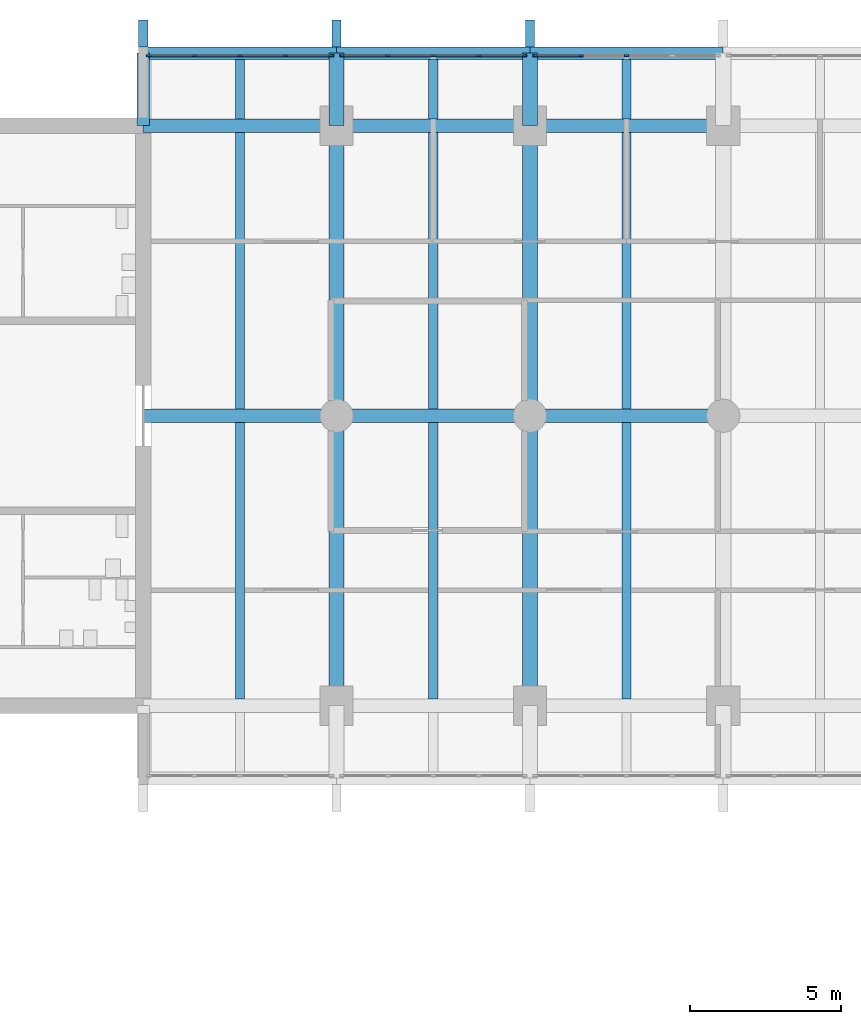
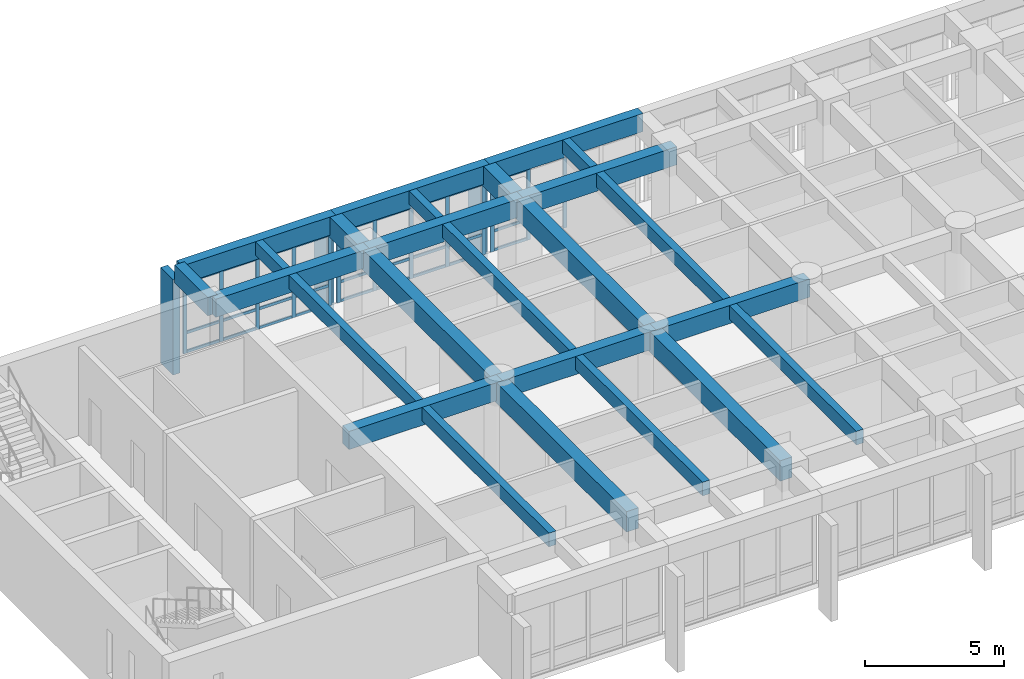
# One storey, part 4 of 18: 43 members, 25 beams, 3 elements without a shape of their own.
"""IFC4 building model written with IfcOpenShell, lengths in metres."""

from ifc_helpers import new_model, si_unit, direction, frame, origin, origin_2d, place, context, subcontext, project, spatial, rectangle, extrude, material, layer, layer_set, material_profile, profile_set, type_object, element, aggregate, save


model = new_model("IFC4")

# Units and contexts
model_context = context("Model", 3, precision=1e-05, world=origin(), true_north=direction((0.0, 1.0)))
body_context = subcontext(model_context, "Body", "Model", "MODEL_VIEW")
ifc_project = project(units=[si_unit("LENGTHUNIT", "METRE"), si_unit("AREAUNIT", "SQUARE_METRE"), si_unit("VOLUMEUNIT", "CUBIC_METRE"), si_unit("PLANEANGLEUNIT", "RADIAN"), si_unit("MASSUNIT", "GRAM", prefix="KILO")], contexts=[model_context])

# Site, building, storey
site_placement = place(None, origin())
site = spatial("IfcSite", under=ifc_project, at=site_placement, CompositionType="ELEMENT")
building_placement = place(site_placement, origin())
building = spatial("IfcBuilding", under=site, at=building_placement, Name="Fogon Plaza Fire Station and Headquarters Tower", CompositionType="ELEMENT")
storey_placement = place(building_placement, frame((0.0, 0.0, 12.89990234375)))
storey = spatial("IfcBuildingStorey", under=building, at=storey_placement, Name="L03", CompositionType="ELEMENT", Elevation=12.89990234375)

# Beams
ifc_material_1 = material(Name="Concrete C40", Category="concrete")
ifc_material_profile_1 = material_profile(ifc_material_1, rectangle(XDim=0.39990234375, YDim=0.800048828125, at=origin_2d()), Name="RC 400x800")
ifc_profile_set_1 = profile_set([ifc_material_profile_1], Name="Concrete C40")
beam_type_1 = type_object("IfcBeamType", Name="BEAM RC 400x800", PredefinedType="BEAM", material=ifc_profile_set_1)
for number, where, z_axis, x_axis, name in (
    (1, (25.60009765625, 55.199951171875, 3.580078125), (1.0, 0.0, 0.0), (0.0, 1.0, 0.0), "beam-L03-045"),
    (2, (32.0, 55.199951171875, 3.580078125), (1.0, 0.0, 0.0), (0.0, 1.0, 0.0), "beam-L03-046"),
):
    element("IfcBeam", number, at=place(storey_placement, frame(where, z_axis=z_axis, x_axis=x_axis)), inside=storey, type_object=beam_type_1, Name=name, PredefinedType="BEAM", context=body_context, shape_type="SweptSolid", body=[
        extrude(rectangle(XDim=0.39990234375, YDim=0.800048828125, at=origin_2d()), origin(), (0.0, 0.0, 1.0), 6.39990234375),
    ])
beam_1_placement = place(storey_placement, frame((38.39990234375, 55.199951171875, 3.580078125), z_axis=(1.0, 0.0, 0.0), x_axis=(0.0, 1.0, 0.0)))
element("IfcBeam", 3, at=beam_1_placement, inside=storey, type_object=beam_type_1, Name="beam-L03-047", PredefinedType="BEAM", context=body_context, shape_type="SweptSolid", body=[
    extrude(rectangle(XDim=0.39990234375, YDim=0.800048828125, at=origin_2d()), origin(), (0.0, 0.0, 1.0), 6.400146484375),
])
ifc_material_2 = material(Name="Concrete C40", Category="concrete")
ifc_material_profile_2 = material_profile(ifc_material_2, rectangle(XDim=0.39990234375, YDim=0.800048828125, at=origin_2d()), Name="RC 400x800")
ifc_profile_set_2 = profile_set([ifc_material_profile_2], Name="Concrete C40")
beam_type_2 = type_object("IfcBeamType", Name="BEAM RC 400x800 SPAN 0.0 TO 3.0 M", PredefinedType="BEAM", material=ifc_profile_set_2)
beam_2_placement = place(storey_placement, frame((25.60009765625, 52.800048828125, 3.580078125), z_axis=(0.0, 1.0, 0.0), x_axis=(-1.0, 0.0, 0.0)))
element("IfcBeam", 4, at=beam_2_placement, inside=storey, type_object=beam_type_2, Name="beam-L03-052", PredefinedType="BEAM", context=body_context, shape_type="SweptSolid", body=[
    extrude(rectangle(XDim=0.39990234375, YDim=0.800048828125, at=origin_2d()), origin(), (0.0, 0.0, 1.0), 2.39990234375),
])
ifc_material_3 = material(Name="Concrete C40", Category="concrete")
ifc_material_profile_3 = material_profile(ifc_material_3, rectangle(XDim=0.449951171875, YDim=0.800048828125, at=origin_2d()), Name="RC 450x800")
ifc_profile_set_3 = profile_set([ifc_material_profile_3], Name="Concrete C40")
beam_type_3 = type_object("IfcBeamType", Name="BEAM RC 450x800", PredefinedType="BEAM", material=ifc_profile_set_3)
for number, where, z_axis, x_axis, name in (
    (5, (25.60009765625, 43.199951171875, 3.580078125), (1.0, 0.0, 0.0), (0.0, 1.0, 0.0), "beam-L03-027"),
    (6, (32.0, 43.199951171875, 3.580078125), (1.0, 0.0, 0.0), (0.0, 1.0, 0.0), "beam-L03-028"),
):
    element("IfcBeam", number, at=place(storey_placement, frame(where, z_axis=z_axis, x_axis=x_axis)), inside=storey, type_object=beam_type_3, Name=name, PredefinedType="BEAM", context=body_context, shape_type="SweptSolid", body=[
        extrude(rectangle(XDim=0.449951171875, YDim=0.800048828125, at=origin_2d()), origin(), (0.0, 0.0, 1.0), 6.39990234375),
    ])
beam_3_placement = place(storey_placement, frame((38.39990234375, 43.199951171875, 3.580078125), z_axis=(1.0, 0.0, 0.0), x_axis=(0.0, 1.0, 0.0)))
element("IfcBeam", 7, at=beam_3_placement, inside=storey, type_object=beam_type_3, Name="beam-L03-029", PredefinedType="BEAM", context=body_context, shape_type="SweptSolid", body=[
    extrude(rectangle(XDim=0.449951171875, YDim=0.800048828125, at=origin_2d()), origin(), (0.0, 0.0, 1.0), 6.400146484375),
])
for number, where, z_axis, x_axis, name in (
    (8, (25.60009765625, 52.800048828125, 3.580078125), (1.0, 0.0, 0.0), (0.0, 1.0, 0.0), "beam-L03-033"),
    (9, (32.0, 52.800048828125, 3.580078125), (1.0, 0.0, 0.0), (0.0, 1.0, 0.0), "beam-L03-034"),
):
    element("IfcBeam", number, at=place(storey_placement, frame(where, z_axis=z_axis, x_axis=x_axis)), inside=storey, type_object=beam_type_3, Name=name, PredefinedType="BEAM", context=body_context, shape_type="SweptSolid", body=[
        extrude(rectangle(XDim=0.449951171875, YDim=0.800048828125, at=origin_2d()), origin(), (0.0, 0.0, 1.0), 6.39990234375),
    ])
beam_4_placement = place(storey_placement, frame((38.39990234375, 52.800048828125, 3.580078125), z_axis=(1.0, 0.0, 0.0), x_axis=(0.0, 1.0, 0.0)))
element("IfcBeam", 10, at=beam_4_placement, inside=storey, type_object=beam_type_3, Name="beam-L03-035", PredefinedType="BEAM", context=body_context, shape_type="SweptSolid", body=[
    extrude(rectangle(XDim=0.449951171875, YDim=0.800048828125, at=origin_2d()), origin(), (0.0, 0.0, 1.0), 6.400146484375),
])
ifc_material_4 = material(Name="Concrete C40", Category="concrete")
ifc_material_profile_4 = material_profile(ifc_material_4, rectangle(XDim=0.5, YDim=0.89990234375, at=origin_2d()), Name="RC 500x900")
ifc_profile_set_4 = profile_set([ifc_material_profile_4], Name="Concrete C40")
beam_type_4 = type_object("IfcBeamType", Name="BEAM RC 500x900 SPAN 0.0 TO 3.0 M", PredefinedType="BEAM", material=ifc_profile_set_4)
for number, where, z_axis, x_axis, name in (
    (11, (32.0, 52.800048828125, 3.530029296875), (0.0, 1.0, 0.0), (-1.0, 0.0, 0.0), "beam-L03-004"),
    (12, (38.39990234375, 52.800048828125, 3.530029296875), (0.0, 1.0, 0.0), (-1.0, 0.0, 0.0), "beam-L03-008"),
):
    element("IfcBeam", number, at=place(storey_placement, frame(where, z_axis=z_axis, x_axis=x_axis)), inside=storey, type_object=beam_type_4, Name=name, PredefinedType="BEAM", context=body_context, shape_type="SweptSolid", body=[
        extrude(rectangle(XDim=0.5, YDim=0.89990234375, at=origin_2d()), origin(), (0.0, 0.0, 1.0), 2.39990234375),
    ])
ifc_material_5 = material(Name="Concrete C40", Category="concrete")
ifc_material_profile_5 = material_profile(ifc_material_5, rectangle(XDim=0.5, YDim=0.89990234375, at=origin_2d()), Name="RC 500x900")
ifc_profile_set_5 = profile_set([ifc_material_profile_5], Name="Concrete C40")
beam_type_5 = type_object("IfcBeamType", Name="BEAM RC 500x900 SPAN 7.7 TO 12.3 M", PredefinedType="BEAM", material=ifc_profile_set_5)
beam_5_placement = place(storey_placement, frame((32.0, 33.60009765625, 3.530029296875), z_axis=(0.0, 1.0, 0.0), x_axis=(-1.0, 0.0, 0.0)))
element("IfcBeam", 13, at=beam_5_placement, inside=storey, type_object=beam_type_5, Name="beam-L03-002", PredefinedType="BEAM", context=body_context, shape_type="SweptSolid", body=[
    extrude(rectangle(XDim=0.5, YDim=0.89990234375, at=origin_2d()), origin(), (0.0, 0.0, 1.0), 9.599853515625),
])
beam_6_placement = place(storey_placement, frame((32.0, 43.199951171875, 3.530029296875), z_axis=(0.0, 1.0, 0.0), x_axis=(-1.0, 0.0, 0.0)))
element("IfcBeam", 14, at=beam_6_placement, inside=storey, type_object=beam_type_5, Name="beam-L03-003", PredefinedType="BEAM", context=body_context, shape_type="SweptSolid", body=[
    extrude(rectangle(XDim=0.5, YDim=0.89990234375, at=origin_2d()), origin(), (0.0, 0.0, 1.0), 9.60009765625),
])
beam_7_placement = place(storey_placement, frame((38.39990234375, 33.60009765625, 3.530029296875), z_axis=(0.0, 1.0, 0.0), x_axis=(-1.0, 0.0, 0.0)))
element("IfcBeam", 15, at=beam_7_placement, inside=storey, type_object=beam_type_5, Name="beam-L03-006", PredefinedType="BEAM", context=body_context, shape_type="SweptSolid", body=[
    extrude(rectangle(XDim=0.5, YDim=0.89990234375, at=origin_2d()), origin(), (0.0, 0.0, 1.0), 9.599853515625),
])
beam_8_placement = place(storey_placement, frame((38.39990234375, 43.199951171875, 3.530029296875), z_axis=(0.0, 1.0, 0.0), x_axis=(-1.0, 0.0, 0.0)))
element("IfcBeam", 16, at=beam_8_placement, inside=storey, type_object=beam_type_5, Name="beam-L03-007", PredefinedType="BEAM", context=body_context, shape_type="SweptSolid", body=[
    extrude(rectangle(XDim=0.5, YDim=0.89990234375, at=origin_2d()), origin(), (0.0, 0.0, 1.0), 9.60009765625),
])

# Curtain wall, members
ifc_material_6 = material(Name="Aluminium and glass", Category="aluminium")
ifc_layer = layer(ifc_material_6, 0.14990234375)
ifc_layer_set = layer_set([ifc_layer], Name="Aluminium and glass")
curtain_wall_type = type_object("IfcCurtainWallType", Name="Unitised Curtain Wall Run 6100x3180", PredefinedType="NOTDEFINED", material=ifc_layer_set)
curtain_wall_1_placement = place(storey_placement, origin())
curtain_wall_1 = element("IfcCurtainWall", 17, at=curtain_wall_1_placement, inside=storey, type_object=curtain_wall_type, Name="CW-6100x3180 N1 L03", PredefinedType="NOTDEFINED")
ifc_material_7 = material(Name="Aluminium", Category="aluminium")
ifc_material_profile_6 = material_profile(ifc_material_7, rectangle(XDim=0.06005859375, YDim=0.159912109375, at=origin_2d()), Name="Curtain Wall Mullion 60x160")
ifc_profile_set_6 = profile_set([ifc_material_profile_6], Name="Aluminium")
member_type_1 = type_object("IfcMemberType", Name="Curtain Wall Mullion 60x160", PredefinedType="MULLION", material=ifc_profile_set_6)
member_1_placement = place(storey_placement, frame((25.780029296875, 55.1201171875, 0.0), z_axis=(0.0, 0.0, 1.0), x_axis=(0.0, 1.0, 0.0)))
member_1 = element("IfcMember", 18, at=member_1_placement, type_object=member_type_1, Name="CW-6100x3180 mullion 1", PredefinedType="MULLION", context=body_context, shape_type="SweptSolid", body=[
    extrude(rectangle(XDim=0.06005859375, YDim=0.159912109375, at=origin_2d()), origin(), (0.0, 0.0, 1.0), 3.18017578125),
])
member_2_placement = place(storey_placement, frame((27.2900390625, 55.1201171875, 0.0), z_axis=(0.0, 0.0, 1.0), x_axis=(0.0, 1.0, 0.0)))
member_2 = element("IfcMember", 19, at=member_2_placement, type_object=member_type_1, Name="CW-6100x3180 mullion 2", PredefinedType="MULLION", context=body_context, shape_type="SweptSolid", body=[
    extrude(rectangle(XDim=0.06005859375, YDim=0.159912109375, at=origin_2d()), origin(), (0.0, 0.0, 1.0), 3.18017578125),
])
member_3_placement = place(storey_placement, frame((28.800048828125, 55.1201171875, 0.0), z_axis=(0.0, 0.0, 1.0), x_axis=(0.0, 1.0, 0.0)))
member_3 = element("IfcMember", 20, at=member_3_placement, type_object=member_type_1, Name="CW-6100x3180 mullion 3", PredefinedType="MULLION", context=body_context, shape_type="SweptSolid", body=[
    extrude(rectangle(XDim=0.06005859375, YDim=0.159912109375, at=origin_2d()), origin(), (0.0, 0.0, 1.0), 3.18017578125),
])
member_4_placement = place(storey_placement, frame((30.31005859375, 55.1201171875, 0.0), z_axis=(0.0, 0.0, 1.0), x_axis=(0.0, 1.0, 0.0)))
member_4 = element("IfcMember", 21, at=member_4_placement, type_object=member_type_1, Name="CW-6100x3180 mullion 4", PredefinedType="MULLION", context=body_context, shape_type="SweptSolid", body=[
    extrude(rectangle(XDim=0.06005859375, YDim=0.159912109375, at=origin_2d()), origin(), (0.0, 0.0, 1.0), 3.18017578125),
])
member_5_placement = place(storey_placement, frame((31.820068359375, 55.1201171875, 0.0), z_axis=(0.0, 0.0, 1.0), x_axis=(0.0, 1.0, 0.0)))
member_5 = element("IfcMember", 22, at=member_5_placement, type_object=member_type_1, Name="CW-6100x3180 mullion 5", PredefinedType="MULLION", context=body_context, shape_type="SweptSolid", body=[
    extrude(rectangle(XDim=0.06005859375, YDim=0.159912109375, at=origin_2d()), origin(), (0.0, 0.0, 1.0), 3.18017578125),
])

curtain_wall_2_placement = place(storey_placement, origin())
curtain_wall_2 = element("IfcCurtainWall", 23, at=curtain_wall_2_placement, inside=storey, type_object=curtain_wall_type, Name="CW-6100x3180 N2 L03", PredefinedType="NOTDEFINED")
member_6_placement = place(storey_placement, frame((32.179931640625, 55.1201171875, 0.0), z_axis=(0.0, 0.0, 1.0), x_axis=(0.0, 1.0, 0.0)))
member_6 = element("IfcMember", 24, at=member_6_placement, type_object=member_type_1, Name="CW-6100x3180 mullion 1", PredefinedType="MULLION", context=body_context, shape_type="SweptSolid", body=[
    extrude(rectangle(XDim=0.06005859375, YDim=0.159912109375, at=origin_2d()), origin(), (0.0, 0.0, 1.0), 3.18017578125),
])
member_7_placement = place(storey_placement, frame((33.68994140625, 55.1201171875, 0.0), z_axis=(0.0, 0.0, 1.0), x_axis=(0.0, 1.0, 0.0)))
member_7 = element("IfcMember", 25, at=member_7_placement, type_object=member_type_1, Name="CW-6100x3180 mullion 2", PredefinedType="MULLION", context=body_context, shape_type="SweptSolid", body=[
    extrude(rectangle(XDim=0.06005859375, YDim=0.159912109375, at=origin_2d()), origin(), (0.0, 0.0, 1.0), 3.18017578125),
])
member_8_placement = place(storey_placement, frame((35.199951171875, 55.1201171875, 0.0), z_axis=(0.0, 0.0, 1.0), x_axis=(0.0, 1.0, 0.0)))
member_8 = element("IfcMember", 26, at=member_8_placement, type_object=member_type_1, Name="CW-6100x3180 mullion 3", PredefinedType="MULLION", context=body_context, shape_type="SweptSolid", body=[
    extrude(rectangle(XDim=0.06005859375, YDim=0.159912109375, at=origin_2d()), origin(), (0.0, 0.0, 1.0), 3.18017578125),
])
member_9_placement = place(storey_placement, frame((36.7099609375, 55.1201171875, 0.0), z_axis=(0.0, 0.0, 1.0), x_axis=(0.0, 1.0, 0.0)))
member_9 = element("IfcMember", 27, at=member_9_placement, type_object=member_type_1, Name="CW-6100x3180 mullion 4", PredefinedType="MULLION", context=body_context, shape_type="SweptSolid", body=[
    extrude(rectangle(XDim=0.06005859375, YDim=0.159912109375, at=origin_2d()), origin(), (0.0, 0.0, 1.0), 3.18017578125),
])
member_10_placement = place(storey_placement, frame((38.219970703125, 55.1201171875, 0.0), z_axis=(0.0, 0.0, 1.0), x_axis=(0.0, 1.0, 0.0)))
member_10 = element("IfcMember", 28, at=member_10_placement, type_object=member_type_1, Name="CW-6100x3180 mullion 5", PredefinedType="MULLION", context=body_context, shape_type="SweptSolid", body=[
    extrude(rectangle(XDim=0.06005859375, YDim=0.159912109375, at=origin_2d()), origin(), (0.0, 0.0, 1.0), 3.18017578125),
])

curtain_wall_3_placement = place(storey_placement, origin())
curtain_wall_3 = element("IfcCurtainWall", 29, at=curtain_wall_3_placement, inside=storey, type_object=curtain_wall_type, Name="CW-6100x3180 N3 L03", PredefinedType="NOTDEFINED")
member_11_placement = place(storey_placement, frame((38.580078125, 55.1201171875, 0.0), z_axis=(0.0, 0.0, 1.0), x_axis=(0.0, 1.0, 0.0)))
member_11 = element("IfcMember", 30, at=member_11_placement, type_object=member_type_1, Name="CW-6100x3180 mullion 1", PredefinedType="MULLION", context=body_context, shape_type="SweptSolid", body=[
    extrude(rectangle(XDim=0.06005859375, YDim=0.159912109375, at=origin_2d()), origin(), (0.0, 0.0, 1.0), 3.18017578125),
])
member_12_placement = place(storey_placement, frame((40.090087890625, 55.1201171875, 0.0), z_axis=(0.0, 0.0, 1.0), x_axis=(0.0, 1.0, 0.0)))
member_12 = element("IfcMember", 31, at=member_12_placement, type_object=member_type_1, Name="CW-6100x3180 mullion 2", PredefinedType="MULLION", context=body_context, shape_type="SweptSolid", body=[
    extrude(rectangle(XDim=0.06005859375, YDim=0.159912109375, at=origin_2d()), origin(), (0.0, 0.0, 1.0), 3.18017578125),
])
member_13_placement = place(storey_placement, frame((41.60009765625, 55.1201171875, 0.0), z_axis=(0.0, 0.0, 1.0), x_axis=(0.0, 1.0, 0.0)))
member_13 = element("IfcMember", 32, at=member_13_placement, type_object=member_type_1, Name="CW-6100x3180 mullion 3", PredefinedType="MULLION", context=body_context, shape_type="SweptSolid", body=[
    extrude(rectangle(XDim=0.06005859375, YDim=0.159912109375, at=origin_2d()), origin(), (0.0, 0.0, 1.0), 3.18017578125),
])

# Member
ifc_material_8 = material(Name="Aluminium", Category="aluminium")
ifc_material_profile_7 = material_profile(ifc_material_8, rectangle(XDim=0.06005859375, YDim=0.1201171875, at=origin_2d()), Name="Curtain Wall Transom 60x120")
ifc_profile_set_7 = profile_set([ifc_material_profile_7], Name="Aluminium")
member_type_2 = type_object("IfcMemberType", Name="Curtain Wall Transom 60x120", PredefinedType="USERDEFINED", material=ifc_profile_set_7)
member_14_placement = place(storey_placement, frame((25.81005859375, 55.1201171875, 0.06005859375), z_axis=(1.0, 0.0, 0.0), x_axis=(0.0, 1.0, 0.0)))
member_14 = element("IfcMember", 33, at=member_14_placement, type_object=member_type_2, Name="CW-6100x3180 transom 1.1", ObjectType="TRANSOM", PredefinedType="USERDEFINED", context=body_context, shape_type="SweptSolid", body=[
    extrude(rectangle(XDim=0.06005859375, YDim=0.1201171875, at=origin_2d()), origin(), (0.0, 0.0, 1.0), 1.449951171875),
])

member_15_placement = place(storey_placement, frame((25.81005859375, 55.1201171875, 0.900146484375), z_axis=(1.0, 0.0, 0.0), x_axis=(0.0, 1.0, 0.0)))
member_15 = element("IfcMember", 34, at=member_15_placement, type_object=member_type_2, Name="CW-6100x3180 transom 1.2", ObjectType="TRANSOM", PredefinedType="USERDEFINED", context=body_context, shape_type="SweptSolid", body=[
    extrude(rectangle(XDim=0.06005859375, YDim=0.1201171875, at=origin_2d()), origin(), (0.0, 0.0, 1.0), 1.449951171875),
])

member_16_placement = place(storey_placement, frame((25.81005859375, 55.1201171875, 3.1201171875), z_axis=(1.0, 0.0, 0.0), x_axis=(0.0, 1.0, 0.0)))
member_16 = element("IfcMember", 35, at=member_16_placement, type_object=member_type_2, Name="CW-6100x3180 transom 1.3", ObjectType="TRANSOM", PredefinedType="USERDEFINED", context=body_context, shape_type="SweptSolid", body=[
    extrude(rectangle(XDim=0.06005859375, YDim=0.1201171875, at=origin_2d()), origin(), (0.0, 0.0, 1.0), 1.449951171875),
])

member_17_placement = place(storey_placement, frame((27.320068359375, 55.1201171875, 0.06005859375), z_axis=(1.0, 0.0, 0.0), x_axis=(0.0, 1.0, 0.0)))
member_17 = element("IfcMember", 36, at=member_17_placement, type_object=member_type_2, Name="CW-6100x3180 transom 2.1", ObjectType="TRANSOM", PredefinedType="USERDEFINED", context=body_context, shape_type="SweptSolid", body=[
    extrude(rectangle(XDim=0.06005859375, YDim=0.1201171875, at=origin_2d()), origin(), (0.0, 0.0, 1.0), 1.449951171875),
])

member_18_placement = place(storey_placement, frame((27.320068359375, 55.1201171875, 0.900146484375), z_axis=(1.0, 0.0, 0.0), x_axis=(0.0, 1.0, 0.0)))
member_18 = element("IfcMember", 37, at=member_18_placement, type_object=member_type_2, Name="CW-6100x3180 transom 2.2", ObjectType="TRANSOM", PredefinedType="USERDEFINED", context=body_context, shape_type="SweptSolid", body=[
    extrude(rectangle(XDim=0.06005859375, YDim=0.1201171875, at=origin_2d()), origin(), (0.0, 0.0, 1.0), 1.449951171875),
])

member_19_placement = place(storey_placement, frame((27.320068359375, 55.1201171875, 3.1201171875), z_axis=(1.0, 0.0, 0.0), x_axis=(0.0, 1.0, 0.0)))
member_19 = element("IfcMember", 38, at=member_19_placement, type_object=member_type_2, Name="CW-6100x3180 transom 2.3", ObjectType="TRANSOM", PredefinedType="USERDEFINED", context=body_context, shape_type="SweptSolid", body=[
    extrude(rectangle(XDim=0.06005859375, YDim=0.1201171875, at=origin_2d()), origin(), (0.0, 0.0, 1.0), 1.449951171875),
])

member_20_placement = place(storey_placement, frame((28.830078125, 55.1201171875, 0.06005859375), z_axis=(1.0, 0.0, 0.0), x_axis=(0.0, 1.0, 0.0)))
member_20 = element("IfcMember", 39, at=member_20_placement, type_object=member_type_2, Name="CW-6100x3180 transom 3.1", ObjectType="TRANSOM", PredefinedType="USERDEFINED", context=body_context, shape_type="SweptSolid", body=[
    extrude(rectangle(XDim=0.06005859375, YDim=0.1201171875, at=origin_2d()), origin(), (0.0, 0.0, 1.0), 1.449951171875),
])

member_21_placement = place(storey_placement, frame((28.830078125, 55.1201171875, 0.900146484375), z_axis=(1.0, 0.0, 0.0), x_axis=(0.0, 1.0, 0.0)))
member_21 = element("IfcMember", 40, at=member_21_placement, type_object=member_type_2, Name="CW-6100x3180 transom 3.2", ObjectType="TRANSOM", PredefinedType="USERDEFINED", context=body_context, shape_type="SweptSolid", body=[
    extrude(rectangle(XDim=0.06005859375, YDim=0.1201171875, at=origin_2d()), origin(), (0.0, 0.0, 1.0), 1.449951171875),
])

member_22_placement = place(storey_placement, frame((28.830078125, 55.1201171875, 3.1201171875), z_axis=(1.0, 0.0, 0.0), x_axis=(0.0, 1.0, 0.0)))
member_22 = element("IfcMember", 41, at=member_22_placement, type_object=member_type_2, Name="CW-6100x3180 transom 3.3", ObjectType="TRANSOM", PredefinedType="USERDEFINED", context=body_context, shape_type="SweptSolid", body=[
    extrude(rectangle(XDim=0.06005859375, YDim=0.1201171875, at=origin_2d()), origin(), (0.0, 0.0, 1.0), 1.449951171875),
])

member_23_placement = place(storey_placement, frame((30.340087890625, 55.1201171875, 0.06005859375), z_axis=(1.0, 0.0, 0.0), x_axis=(0.0, 1.0, 0.0)))
member_23 = element("IfcMember", 42, at=member_23_placement, type_object=member_type_2, Name="CW-6100x3180 transom 4.1", ObjectType="TRANSOM", PredefinedType="USERDEFINED", context=body_context, shape_type="SweptSolid", body=[
    extrude(rectangle(XDim=0.06005859375, YDim=0.1201171875, at=origin_2d()), origin(), (0.0, 0.0, 1.0), 1.449951171875),
])

member_24_placement = place(storey_placement, frame((30.340087890625, 55.1201171875, 0.900146484375), z_axis=(1.0, 0.0, 0.0), x_axis=(0.0, 1.0, 0.0)))
member_24 = element("IfcMember", 43, at=member_24_placement, type_object=member_type_2, Name="CW-6100x3180 transom 4.2", ObjectType="TRANSOM", PredefinedType="USERDEFINED", context=body_context, shape_type="SweptSolid", body=[
    extrude(rectangle(XDim=0.06005859375, YDim=0.1201171875, at=origin_2d()), origin(), (0.0, 0.0, 1.0), 1.449951171875),
])

member_25_placement = place(storey_placement, frame((30.340087890625, 55.1201171875, 3.1201171875), z_axis=(1.0, 0.0, 0.0), x_axis=(0.0, 1.0, 0.0)))
member_25 = element("IfcMember", 44, at=member_25_placement, type_object=member_type_2, Name="CW-6100x3180 transom 4.3", ObjectType="TRANSOM", PredefinedType="USERDEFINED", context=body_context, shape_type="SweptSolid", body=[
    extrude(rectangle(XDim=0.06005859375, YDim=0.1201171875, at=origin_2d()), origin(), (0.0, 0.0, 1.0), 1.449951171875),
])

aggregate(curtain_wall_1, [member_1, member_2, member_3, member_4, member_5, member_14, member_15, member_16, member_17, member_18, member_19, member_20, member_21, member_22, member_23, member_24, member_25])

member_26_placement = place(storey_placement, frame((32.2099609375, 55.1201171875, 0.06005859375), z_axis=(1.0, 0.0, 0.0), x_axis=(0.0, 1.0, 0.0)))
member_26 = element("IfcMember", 45, at=member_26_placement, type_object=member_type_2, Name="CW-6100x3180 transom 1.1", ObjectType="TRANSOM", PredefinedType="USERDEFINED", context=body_context, shape_type="SweptSolid", body=[
    extrude(rectangle(XDim=0.06005859375, YDim=0.1201171875, at=origin_2d()), origin(), (0.0, 0.0, 1.0), 1.449951171875),
])

member_27_placement = place(storey_placement, frame((32.2099609375, 55.1201171875, 0.900146484375), z_axis=(1.0, 0.0, 0.0), x_axis=(0.0, 1.0, 0.0)))
member_27 = element("IfcMember", 46, at=member_27_placement, type_object=member_type_2, Name="CW-6100x3180 transom 1.2", ObjectType="TRANSOM", PredefinedType="USERDEFINED", context=body_context, shape_type="SweptSolid", body=[
    extrude(rectangle(XDim=0.06005859375, YDim=0.1201171875, at=origin_2d()), origin(), (0.0, 0.0, 1.0), 1.449951171875),
])

member_28_placement = place(storey_placement, frame((32.2099609375, 55.1201171875, 3.1201171875), z_axis=(1.0, 0.0, 0.0), x_axis=(0.0, 1.0, 0.0)))
member_28 = element("IfcMember", 47, at=member_28_placement, type_object=member_type_2, Name="CW-6100x3180 transom 1.3", ObjectType="TRANSOM", PredefinedType="USERDEFINED", context=body_context, shape_type="SweptSolid", body=[
    extrude(rectangle(XDim=0.06005859375, YDim=0.1201171875, at=origin_2d()), origin(), (0.0, 0.0, 1.0), 1.449951171875),
])

member_29_placement = place(storey_placement, frame((33.719970703125, 55.1201171875, 0.06005859375), z_axis=(1.0, 0.0, 0.0), x_axis=(0.0, 1.0, 0.0)))
member_29 = element("IfcMember", 48, at=member_29_placement, type_object=member_type_2, Name="CW-6100x3180 transom 2.1", ObjectType="TRANSOM", PredefinedType="USERDEFINED", context=body_context, shape_type="SweptSolid", body=[
    extrude(rectangle(XDim=0.06005859375, YDim=0.1201171875, at=origin_2d()), origin(), (0.0, 0.0, 1.0), 1.449951171875),
])

member_30_placement = place(storey_placement, frame((33.719970703125, 55.1201171875, 0.900146484375), z_axis=(1.0, 0.0, 0.0), x_axis=(0.0, 1.0, 0.0)))
member_30 = element("IfcMember", 49, at=member_30_placement, type_object=member_type_2, Name="CW-6100x3180 transom 2.2", ObjectType="TRANSOM", PredefinedType="USERDEFINED", context=body_context, shape_type="SweptSolid", body=[
    extrude(rectangle(XDim=0.06005859375, YDim=0.1201171875, at=origin_2d()), origin(), (0.0, 0.0, 1.0), 1.449951171875),
])

member_31_placement = place(storey_placement, frame((33.719970703125, 55.1201171875, 3.1201171875), z_axis=(1.0, 0.0, 0.0), x_axis=(0.0, 1.0, 0.0)))
member_31 = element("IfcMember", 50, at=member_31_placement, type_object=member_type_2, Name="CW-6100x3180 transom 2.3", ObjectType="TRANSOM", PredefinedType="USERDEFINED", context=body_context, shape_type="SweptSolid", body=[
    extrude(rectangle(XDim=0.06005859375, YDim=0.1201171875, at=origin_2d()), origin(), (0.0, 0.0, 1.0), 1.449951171875),
])

member_32_placement = place(storey_placement, frame((35.22998046875, 55.1201171875, 0.06005859375), z_axis=(1.0, 0.0, 0.0), x_axis=(0.0, 1.0, 0.0)))
member_32 = element("IfcMember", 51, at=member_32_placement, type_object=member_type_2, Name="CW-6100x3180 transom 3.1", ObjectType="TRANSOM", PredefinedType="USERDEFINED", context=body_context, shape_type="SweptSolid", body=[
    extrude(rectangle(XDim=0.06005859375, YDim=0.1201171875, at=origin_2d()), origin(), (0.0, 0.0, 1.0), 1.449951171875),
])

member_33_placement = place(storey_placement, frame((35.22998046875, 55.1201171875, 0.900146484375), z_axis=(1.0, 0.0, 0.0), x_axis=(0.0, 1.0, 0.0)))
member_33 = element("IfcMember", 52, at=member_33_placement, type_object=member_type_2, Name="CW-6100x3180 transom 3.2", ObjectType="TRANSOM", PredefinedType="USERDEFINED", context=body_context, shape_type="SweptSolid", body=[
    extrude(rectangle(XDim=0.06005859375, YDim=0.1201171875, at=origin_2d()), origin(), (0.0, 0.0, 1.0), 1.449951171875),
])

member_34_placement = place(storey_placement, frame((35.22998046875, 55.1201171875, 3.1201171875), z_axis=(1.0, 0.0, 0.0), x_axis=(0.0, 1.0, 0.0)))
member_34 = element("IfcMember", 53, at=member_34_placement, type_object=member_type_2, Name="CW-6100x3180 transom 3.3", ObjectType="TRANSOM", PredefinedType="USERDEFINED", context=body_context, shape_type="SweptSolid", body=[
    extrude(rectangle(XDim=0.06005859375, YDim=0.1201171875, at=origin_2d()), origin(), (0.0, 0.0, 1.0), 1.449951171875),
])

member_35_placement = place(storey_placement, frame((36.739990234375, 55.1201171875, 0.06005859375), z_axis=(1.0, 0.0, 0.0), x_axis=(0.0, 1.0, 0.0)))
member_35 = element("IfcMember", 54, at=member_35_placement, type_object=member_type_2, Name="CW-6100x3180 transom 4.1", ObjectType="TRANSOM", PredefinedType="USERDEFINED", context=body_context, shape_type="SweptSolid", body=[
    extrude(rectangle(XDim=0.06005859375, YDim=0.1201171875, at=origin_2d()), origin(), (0.0, 0.0, 1.0), 1.449951171875),
])

member_36_placement = place(storey_placement, frame((36.739990234375, 55.1201171875, 0.900146484375), z_axis=(1.0, 0.0, 0.0), x_axis=(0.0, 1.0, 0.0)))
member_36 = element("IfcMember", 55, at=member_36_placement, type_object=member_type_2, Name="CW-6100x3180 transom 4.2", ObjectType="TRANSOM", PredefinedType="USERDEFINED", context=body_context, shape_type="SweptSolid", body=[
    extrude(rectangle(XDim=0.06005859375, YDim=0.1201171875, at=origin_2d()), origin(), (0.0, 0.0, 1.0), 1.449951171875),
])

member_37_placement = place(storey_placement, frame((36.739990234375, 55.1201171875, 3.1201171875), z_axis=(1.0, 0.0, 0.0), x_axis=(0.0, 1.0, 0.0)))
member_37 = element("IfcMember", 56, at=member_37_placement, type_object=member_type_2, Name="CW-6100x3180 transom 4.3", ObjectType="TRANSOM", PredefinedType="USERDEFINED", context=body_context, shape_type="SweptSolid", body=[
    extrude(rectangle(XDim=0.06005859375, YDim=0.1201171875, at=origin_2d()), origin(), (0.0, 0.0, 1.0), 1.449951171875),
])

aggregate(curtain_wall_2, [member_6, member_7, member_8, member_9, member_10, member_26, member_27, member_28, member_29, member_30, member_31, member_32, member_33, member_34, member_35, member_36, member_37])

member_38_placement = place(storey_placement, frame((38.610107421875, 55.1201171875, 0.06005859375), z_axis=(1.0, 0.0, 0.0), x_axis=(0.0, 1.0, 0.0)))
member_38 = element("IfcMember", 57, at=member_38_placement, type_object=member_type_2, Name="CW-6100x3180 transom 1.1", ObjectType="TRANSOM", PredefinedType="USERDEFINED", context=body_context, shape_type="SweptSolid", body=[
    extrude(rectangle(XDim=0.06005859375, YDim=0.1201171875, at=origin_2d()), origin(), (0.0, 0.0, 1.0), 1.449951171875),
])

member_39_placement = place(storey_placement, frame((38.610107421875, 55.1201171875, 0.900146484375), z_axis=(1.0, 0.0, 0.0), x_axis=(0.0, 1.0, 0.0)))
member_39 = element("IfcMember", 58, at=member_39_placement, type_object=member_type_2, Name="CW-6100x3180 transom 1.2", ObjectType="TRANSOM", PredefinedType="USERDEFINED", context=body_context, shape_type="SweptSolid", body=[
    extrude(rectangle(XDim=0.06005859375, YDim=0.1201171875, at=origin_2d()), origin(), (0.0, 0.0, 1.0), 1.449951171875),
])

member_40_placement = place(storey_placement, frame((38.610107421875, 55.1201171875, 3.1201171875), z_axis=(1.0, 0.0, 0.0), x_axis=(0.0, 1.0, 0.0)))
member_40 = element("IfcMember", 59, at=member_40_placement, type_object=member_type_2, Name="CW-6100x3180 transom 1.3", ObjectType="TRANSOM", PredefinedType="USERDEFINED", context=body_context, shape_type="SweptSolid", body=[
    extrude(rectangle(XDim=0.06005859375, YDim=0.1201171875, at=origin_2d()), origin(), (0.0, 0.0, 1.0), 1.449951171875),
])

aggregate(curtain_wall_3, [member_11, member_12, member_13, member_38, member_39, member_40])

# Beams
ifc_material_9 = material(Name="Concrete C40", Category="concrete")
ifc_material_profile_8 = material_profile(ifc_material_9, rectangle(XDim=0.300048828125, YDim=0.60009765625, at=origin_2d()), Name="RC 300x600")
ifc_profile_set_8 = profile_set([ifc_material_profile_8], Name="Concrete C40")
beam_type_6 = type_object("IfcBeamType", Name="JOIST RC 300x600", PredefinedType="JOIST", material=ifc_profile_set_8)
beam_9_placement = place(storey_placement, frame((28.800048828125, 33.824951171875, 3.68017578125), z_axis=(0.0, 1.0, 0.0), x_axis=(-1.0, 0.0, 0.0)))
element("IfcBeam", 60, at=beam_9_placement, inside=storey, type_object=beam_type_6, Name="beam-L03-056", PredefinedType="JOIST", context=body_context, shape_type="SweptSolid", body=[
    extrude(rectangle(XDim=0.300048828125, YDim=0.60009765625, at=origin_2d()), origin(), (0.0, 0.0, 1.0), 9.150146484375),
])
beam_10_placement = place(storey_placement, frame((28.800048828125, 43.425048828125, 3.68017578125), z_axis=(0.0, 1.0, 0.0), x_axis=(-1.0, 0.0, 0.0)))
element("IfcBeam", 61, at=beam_10_placement, inside=storey, type_object=beam_type_6, Name="beam-L03-057", PredefinedType="JOIST", context=body_context, shape_type="SweptSolid", body=[
    extrude(rectangle(XDim=0.300048828125, YDim=0.60009765625, at=origin_2d()), origin(), (0.0, 0.0, 1.0), 9.14990234375),
])
beam_11_placement = place(storey_placement, frame((35.199951171875, 33.824951171875, 3.68017578125), z_axis=(0.0, 1.0, 0.0), x_axis=(-1.0, 0.0, 0.0)))
element("IfcBeam", 62, at=beam_11_placement, inside=storey, type_object=beam_type_6, Name="beam-L03-060", PredefinedType="JOIST", context=body_context, shape_type="SweptSolid", body=[
    extrude(rectangle(XDim=0.300048828125, YDim=0.60009765625, at=origin_2d()), origin(), (0.0, 0.0, 1.0), 9.150146484375),
])
beam_12_placement = place(storey_placement, frame((35.199951171875, 43.425048828125, 3.68017578125), z_axis=(0.0, 1.0, 0.0), x_axis=(-1.0, 0.0, 0.0)))
element("IfcBeam", 63, at=beam_12_placement, inside=storey, type_object=beam_type_6, Name="beam-L03-061", PredefinedType="JOIST", context=body_context, shape_type="SweptSolid", body=[
    extrude(rectangle(XDim=0.300048828125, YDim=0.60009765625, at=origin_2d()), origin(), (0.0, 0.0, 1.0), 9.14990234375),
])
beam_13_placement = place(storey_placement, frame((41.60009765625, 33.824951171875, 3.68017578125), z_axis=(0.0, 1.0, 0.0), x_axis=(-1.0, 0.0, 0.0)))
element("IfcBeam", 64, at=beam_13_placement, inside=storey, type_object=beam_type_6, Name="beam-L03-064", PredefinedType="JOIST", context=body_context, shape_type="SweptSolid", body=[
    extrude(rectangle(XDim=0.300048828125, YDim=0.60009765625, at=origin_2d()), origin(), (0.0, 0.0, 1.0), 9.150146484375),
])
beam_14_placement = place(storey_placement, frame((41.60009765625, 43.425048828125, 3.68017578125), z_axis=(0.0, 1.0, 0.0), x_axis=(-1.0, 0.0, 0.0)))
element("IfcBeam", 65, at=beam_14_placement, inside=storey, type_object=beam_type_6, Name="beam-L03-065", PredefinedType="JOIST", context=body_context, shape_type="SweptSolid", body=[
    extrude(rectangle(XDim=0.300048828125, YDim=0.60009765625, at=origin_2d()), origin(), (0.0, 0.0, 1.0), 9.14990234375),
])
ifc_material_10 = material(Name="Concrete C40", Category="concrete")
ifc_material_profile_9 = material_profile(ifc_material_10, rectangle(XDim=0.300048828125, YDim=0.60009765625, at=origin_2d()), Name="RC 300x600")
ifc_profile_set_9 = profile_set([ifc_material_profile_9], Name="Concrete C40")
beam_type_7 = type_object("IfcBeamType", Name="JOIST RC 300x600 SPAN 0.0 TO 3.0 M", PredefinedType="JOIST", material=ifc_profile_set_9)
for number, where, z_axis, x_axis, name in (
    (66, (28.800048828125, 53.02490234375, 3.68017578125), (0.0, 1.0, 0.0), (-1.0, 0.0, 0.0), "beam-L03-058"),
    (67, (35.199951171875, 53.02490234375, 3.68017578125), (0.0, 1.0, 0.0), (-1.0, 0.0, 0.0), "beam-L03-062"),
    (68, (41.60009765625, 53.02490234375, 3.68017578125), (0.0, 1.0, 0.0), (-1.0, 0.0, 0.0), "beam-L03-066"),
):
    element("IfcBeam", number, at=place(storey_placement, frame(where, z_axis=z_axis, x_axis=x_axis)), inside=storey, type_object=beam_type_7, Name=name, PredefinedType="JOIST", context=body_context, shape_type="SweptSolid", body=[
        extrude(rectangle(XDim=0.300048828125, YDim=0.60009765625, at=origin_2d()), origin(), (0.0, 0.0, 1.0), 1.97509765625),
    ])

# Members
ifc_material_11 = material(Name="Concrete C40 precast", Category="concrete")
ifc_material_profile_10 = material_profile(ifc_material_11, rectangle(XDim=0.300048828125, YDim=0.89990234375, at=origin_2d()), Name="Precast Concrete Post 300x900")
ifc_profile_set_10 = profile_set([ifc_material_profile_10], Name="Concrete C40 precast")
member_type_3 = type_object("IfcMemberType", Name="Precast Concrete Post 300x900", PredefinedType="POST", material=ifc_profile_set_10)
for number, where, z_axis, x_axis, name in (
    (69, (25.60009765625, 55.85009765625, -1.02001953125), (0.0, 0.0, 1.0), (1.0, 0.0, 0.0), "Precast Post N L03"),
    (70, (32.0, 55.85009765625, -1.02001953125), (0.0, 0.0, 1.0), (1.0, 0.0, 0.0), "Precast Post N L03"),
    (71, (38.39990234375, 55.85009765625, -1.02001953125), (0.0, 0.0, 1.0), (1.0, 0.0, 0.0), "Precast Post N L03"),
):
    element("IfcMember", number, at=place(storey_placement, frame(where, z_axis=z_axis, x_axis=x_axis)), inside=storey, type_object=member_type_3, Name=name, PredefinedType="POST", context=body_context, shape_type="SweptSolid", body=[
        extrude(rectangle(XDim=0.300048828125, YDim=0.89990234375, at=origin_2d()), origin(), (0.0, 0.0, 1.0), 4.2001953125),
    ])

save(model, "model.ifc")
